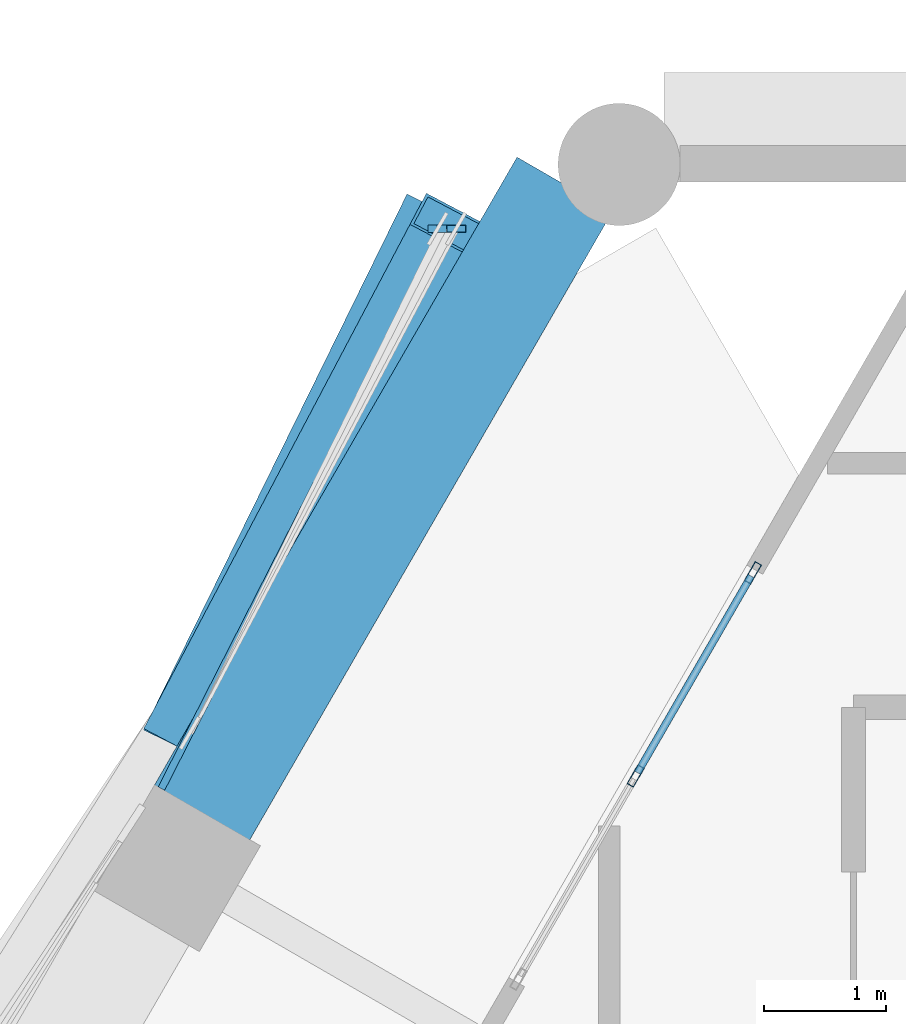
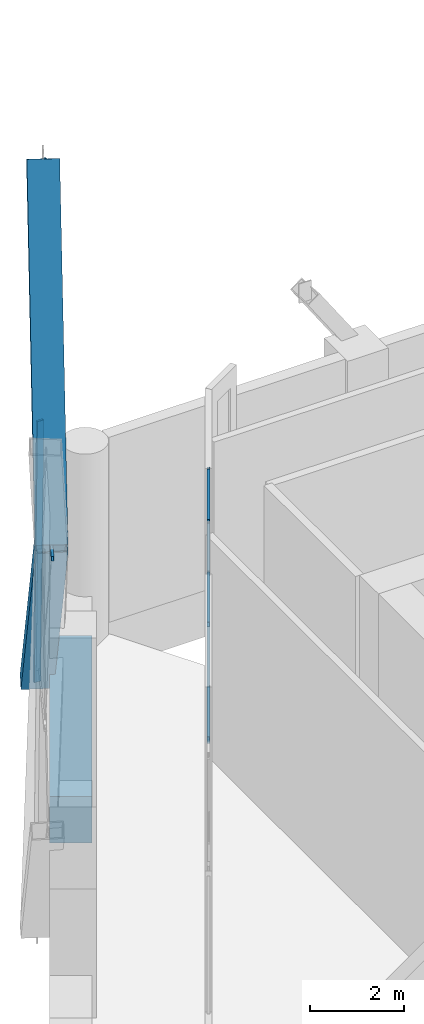
# One storey, part 29 of 43: 10 members, 1 beam, 3 elements without a shape of their own.
"""IFC4 building model written with IfcOpenShell, lengths in metres."""

from ifc_helpers import new_model, si_unit, direction, frame, origin, origin_2d, place, context, subcontext, project, spatial, rectangle, hollow_rectangle, extrude, material, material_profile, profile_set, type_object, element, aggregate, save


model = new_model("IFC4")

# Units and contexts
model_context = context("Model", 3, precision=1e-05, world=origin(), true_north=direction((0.0, 1.0)))
body_context = subcontext(model_context, "Body", "Model", "MODEL_VIEW")
ifc_project = project(units=[si_unit("LENGTHUNIT", "METRE"), si_unit("AREAUNIT", "SQUARE_METRE"), si_unit("VOLUMEUNIT", "CUBIC_METRE"), si_unit("PLANEANGLEUNIT", "RADIAN"), si_unit("MASSUNIT", "GRAM", prefix="KILO")], contexts=[model_context])

# Site, building, storey
site_placement = place(None, origin())
site = spatial("IfcSite", under=ifc_project, at=site_placement, CompositionType="ELEMENT")
building_placement = place(site_placement, origin())
building = spatial("IfcBuilding", under=site, at=building_placement, Name="Ostrander Bayou Hotel Tower", CompositionType="ELEMENT")
storey_placement = place(building_placement, frame((0.0, 0.0, 151.0)))
storey = spatial("IfcBuildingStorey", under=building, at=storey_placement, Name="L37", CompositionType="ELEMENT", Elevation=151.0)

# Curtain wall, members
ifc_material_1 = material(Name="Aluminium and clear glass", Category="aluminium")
curtain_wall_type_1 = type_object("IfcCurtainWallType", Name="CW-LAT lattice glazing", PredefinedType="NOTDEFINED", material=ifc_material_1)
curtain_wall_1_placement = place(storey_placement, origin())
curtain_wall_1 = element("IfcCurtainWall", 1, at=curtain_wall_1_placement, inside=storey, type_object=curtain_wall_type_1, Name="CW-LAT L37 NW 1", PredefinedType="NOTDEFINED")
ifc_material_2 = material(Name="Aluminium", Category="aluminium")
ifc_material_profile_1 = material_profile(ifc_material_2, hollow_rectangle(XDim=0.06005859375, YDim=0.159912109375, WallThickness=0.00390625, at=origin_2d()))
ifc_profile_set_1 = profile_set([ifc_material_profile_1], Name="Aluminium")
member_type_1 = type_object("IfcMemberType", Name="CW-LA mullion 60 x 160 mm", PredefinedType="MULLION", material=ifc_profile_set_1)
member_1_placement = place(storey_placement, frame((-11.90576171875, 17.5185546875, -0.60009765625), z_axis=(0.011211679529, 0.0, 0.999937147146), x_axis=(0.0, 1.0, 0.0)))
member_1 = element("IfcMember", 2, at=member_1_placement, type_object=member_type_1, Name="CW-LAT mullion 1", PredefinedType="MULLION", context=body_context, shape_type="SweptSolid", body=[
    extrude(hollow_rectangle(XDim=0.06005859375, YDim=0.159912109375, WallThickness=0.00390625, at=origin_2d()), origin(), (0.0, 0.0, 1.0), 6.75048828125),
])
member_2_placement = place(storey_placement, frame((-11.830078125, 17.5185546875, 6.14990234375), z_axis=(0.011175517345, 0.0, 0.999937551956), x_axis=(0.0, 1.0, 0.0)))
member_2 = element("IfcMember", 3, at=member_2_placement, type_object=member_type_1, Name="CW-LAT mullion 2", PredefinedType="MULLION", context=body_context, shape_type="SweptSolid", body=[
    extrude(hollow_rectangle(XDim=0.06005859375, YDim=0.159912109375, WallThickness=0.00390625, at=origin_2d()), origin(), (0.0, 0.0, 1.0), 6.75048828125),
])
aggregate(curtain_wall_1, [member_1, member_2])

# Curtain wall, member
curtain_wall_2_placement = place(storey_placement, origin())
curtain_wall_2 = element("IfcCurtainWall", 4, at=curtain_wall_2_placement, inside=storey, type_object=curtain_wall_type_1, Name="CW-LAT L37 NW 2", PredefinedType="NOTDEFINED")
ifc_material_3 = material(Name="Aluminium", Category="aluminium")
ifc_material_profile_2 = material_profile(ifc_material_3, hollow_rectangle(XDim=0.06005859375, YDim=0.1201171875, WallThickness=0.00390625, at=origin_2d()))
ifc_profile_set_2 = profile_set([ifc_material_profile_2], Name="Aluminium")
member_type_2 = type_object("IfcMemberType", Name="CW-LA transom 60 x 120 mm", PredefinedType="USERDEFINED", material=ifc_profile_set_2)
member_3_placement = place(storey_placement, frame((-11.830078125, 17.5185546875, 6.14990234375), z_axis=(-0.454184493622, -0.890907652764, 0.0), x_axis=(0.890907652764, -0.454184493622, 0.0)))
member_3 = element("IfcMember", 5, at=member_3_placement, type_object=member_type_2, Name="CW-LAT transom 3", ObjectType="TRANSOM", PredefinedType="USERDEFINED", context=body_context, shape_type="SweptSolid", body=[
    extrude(hollow_rectangle(XDim=0.06005859375, YDim=0.1201171875, WallThickness=0.00390625, at=origin_2d()), origin(), (0.0, 0.0, 1.0), 5.145263671875),
])
aggregate(curtain_wall_2, [member_3])

# Curtain wall, members
ifc_material_4 = material(Name="Aluminium and clear glass", Category="aluminium")
curtain_wall_type_2 = type_object("IfcCurtainWallType", Name="CW-SKY amenity glass wall", PredefinedType="NOTDEFINED", material=ifc_material_4)
curtain_wall_3_placement = place(storey_placement, origin())
curtain_wall_3 = element("IfcCurtainWall", 6, at=curtain_wall_3_placement, inside=storey, type_object=curtain_wall_type_2, Name="CW-SKY L37 NW 1", PredefinedType="NOTDEFINED")
ifc_material_5 = material(Name="Aluminium", Category="aluminium")
ifc_material_profile_3 = material_profile(ifc_material_5, hollow_rectangle(XDim=0.06005859375, YDim=0.179931640625, WallThickness=0.00390625, at=origin_2d()))
ifc_profile_set_3 = profile_set([ifc_material_profile_3], Name="Aluminium")
member_type_3 = type_object("IfcMemberType", Name="CW-SK mullion 60 x 180 mm", PredefinedType="MULLION", material=ifc_profile_set_3)
member_4_placement = place(storey_placement, frame((-9.323486328125, 14.701416015625, 0.0), z_axis=(0.0, 0.0, 1.0), x_axis=(0.866025463091, -0.499999897278, 0.0)))
member_4 = element("IfcMember", 7, at=member_4_placement, type_object=member_type_3, Name="CW-SKY mullion 1", PredefinedType="MULLION", context=body_context, shape_type="SweptSolid", body=[
    extrude(hollow_rectangle(XDim=0.06005859375, YDim=0.179931640625, WallThickness=0.00390625, at=origin_2d()), origin(), (0.0, 0.0, 1.0), 5.699951171875),
])
member_5_placement = place(storey_placement, frame((-10.283447265625, 13.03857421875, 0.0), z_axis=(0.0, 0.0, 1.0), x_axis=(0.866025463091, -0.499999897278, 0.0)))
member_5 = element("IfcMember", 8, at=member_5_placement, type_object=member_type_3, Name="CW-SKY mullion 2", PredefinedType="MULLION", context=body_context, shape_type="SweptSolid", body=[
    extrude(hollow_rectangle(XDim=0.06005859375, YDim=0.179931640625, WallThickness=0.00390625, at=origin_2d()), origin(), (0.0, 0.0, 1.0), 5.699951171875),
])
ifc_material_6 = material(Name="Aluminium", Category="aluminium")
ifc_material_profile_4 = material_profile(ifc_material_6, hollow_rectangle(XDim=0.06005859375, YDim=0.1201171875, WallThickness=0.00390625, at=origin_2d()))
ifc_profile_set_4 = profile_set([ifc_material_profile_4], Name="Aluminium")
member_type_4 = type_object("IfcMemberType", Name="CW-SK transom 60 x 120 mm", PredefinedType="USERDEFINED", material=ifc_profile_set_4)
member_6_placement = place(storey_placement, frame((-9.33837890625, 14.67529296875, 0.030029296875), z_axis=(-0.499964847546, -0.866045698112, 0.0), x_axis=(0.866045698112, -0.499964847546, 0.0)))
member_6 = element("IfcMember", 9, at=member_6_placement, type_object=member_type_4, Name="CW-SKY transom 1.1", ObjectType="TRANSOM", PredefinedType="USERDEFINED", context=body_context, shape_type="SweptSolid", body=[
    extrude(hollow_rectangle(XDim=0.06005859375, YDim=0.1201171875, WallThickness=0.00390625, at=origin_2d()), origin(), (0.0, 0.0, 1.0), 1.860107421875),
])
member_7_placement = place(storey_placement, frame((-9.33837890625, 14.67529296875, 3.0), z_axis=(-0.499964847546, -0.866045698112, 0.0), x_axis=(0.866045698112, -0.499964847546, 0.0)))
member_7 = element("IfcMember", 10, at=member_7_placement, type_object=member_type_4, Name="CW-SKY transom 1.2", ObjectType="TRANSOM", PredefinedType="USERDEFINED", context=body_context, shape_type="SweptSolid", body=[
    extrude(hollow_rectangle(XDim=0.06005859375, YDim=0.1201171875, WallThickness=0.00390625, at=origin_2d()), origin(), (0.0, 0.0, 1.0), 1.860107421875),
])
member_8_placement = place(storey_placement, frame((-9.33837890625, 14.67529296875, 5.669921875), z_axis=(-0.499964847546, -0.866045698112, 0.0), x_axis=(0.866045698112, -0.499964847546, 0.0)))
member_8 = element("IfcMember", 11, at=member_8_placement, type_object=member_type_4, Name="CW-SKY transom 1.3", ObjectType="TRANSOM", PredefinedType="USERDEFINED", context=body_context, shape_type="SweptSolid", body=[
    extrude(hollow_rectangle(XDim=0.06005859375, YDim=0.1201171875, WallThickness=0.00390625, at=origin_2d()), origin(), (0.0, 0.0, 1.0), 1.860107421875),
])
aggregate(curtain_wall_3, [member_4, member_5, member_6, member_7, member_8])

# Members
ifc_material_7 = material(Name="Steel ASTM A572 Gr 50", Category="steel")
ifc_material_profile_5 = material_profile(ifc_material_7, hollow_rectangle(XDim=0.699951171875, YDim=0.35009765625, WallThickness=0.02490234375, at=origin_2d()))
ifc_profile_set_5 = profile_set([ifc_material_profile_5], Name="Steel ASTM A572 Gr 50")
member_type_5 = type_object("IfcMemberType", Name="LT1 lattice member box 700 x 350 x 25 mm", PredefinedType="BRACE", material=ifc_profile_set_5)
member_9_placement = place(storey_placement, frame((-13.93505859375, 13.3896484375, 6.14990234375), z_axis=(0.248422077694, 0.505451657599, -0.826320212233), x_axis=(-0.897462937287, 0.441089873151, 0.0)))
element("IfcMember", 12, at=member_9_placement, inside=storey, type_object=member_type_5, Name="LT1 L37 NW 1", PredefinedType="BRACE", context=body_context, shape_type="SweptSolid", body=[
    extrude(hollow_rectangle(XDim=0.699951171875, YDim=0.35009765625, WallThickness=0.02490234375, at=origin_2d()), origin(), (0.0, 0.0, 1.0), 8.168701171875),
])
member_10_placement = place(storey_placement, frame((-13.93505859375, 13.3896484375, 6.14990234375), z_axis=(0.265658845299, 0.503059275747, 0.822409109263), x_axis=(-0.884272012545, 0.466972170295, 0.0)))
element("IfcMember", 13, at=member_10_placement, inside=storey, type_object=member_type_5, Name="LT1 L37 NW 2", PredefinedType="BRACE", context=body_context, shape_type="SweptSolid", body=[
    extrude(hollow_rectangle(XDim=0.699951171875, YDim=0.35009765625, WallThickness=0.02490234375, at=origin_2d()), origin(), (0.0, 0.0, 1.0), 8.20751953125),
])

# Beam
ifc_material_8 = material(Name="Concrete f'c 60 MPa", Category="concrete")
ifc_material_profile_6 = material_profile(ifc_material_8, rectangle(XDim=0.89990234375, YDim=1.199951171875, at=origin_2d()))
ifc_profile_set_6 = profile_set([ifc_material_profile_6], Name="Concrete f'c 60 MPa")
beam_type = type_object("IfcBeamType", Name="SP3 spandrel beam 900 x 1200 mm f'c 60 MPa", PredefinedType="SPANDREL", material=ifc_profile_set_6)
beam_placement = place(storey_placement, frame((-10.865478515625, 17.88037109375, -0.60009765625), z_axis=(-0.49998703478, -0.866032889128, 0.0), x_axis=(0.866032889128, -0.49998703478, 0.0)))
element("IfcBeam", 14, at=beam_placement, inside=storey, type_object=beam_type, Name="SP3 L37 NW-1", PredefinedType="SPANDREL", context=body_context, shape_type="SweptSolid", body=[
    extrude(rectangle(XDim=0.89990234375, YDim=1.199951171875, at=origin_2d()), origin(), (0.0, 0.0, 1.0), 5.964111328125),
])

save(model, "model.ifc")
